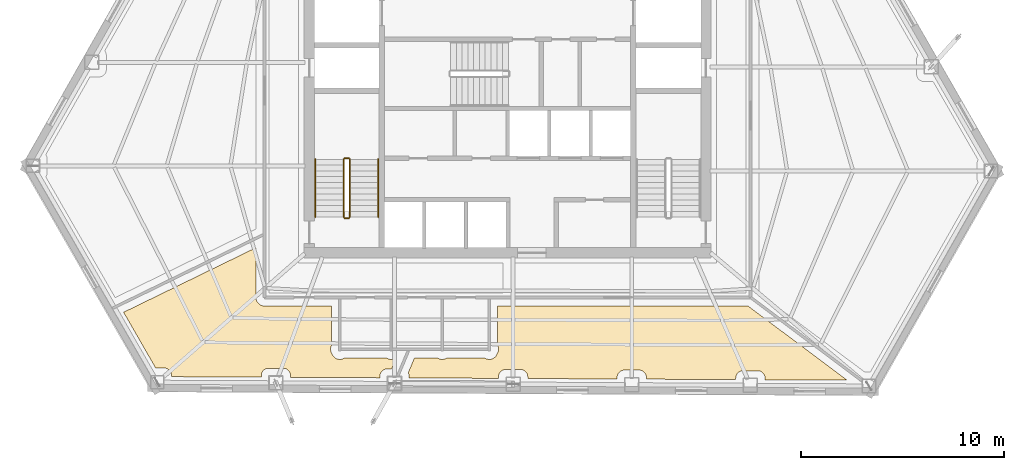
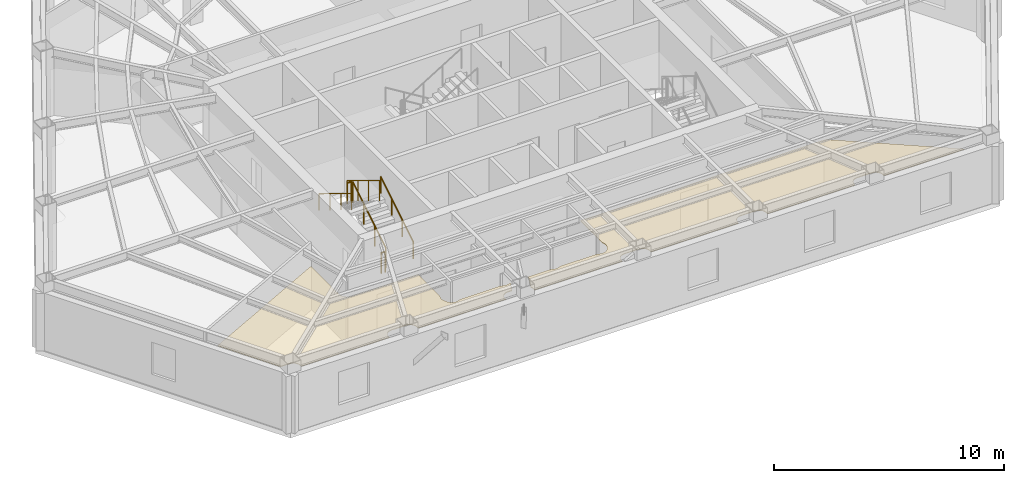
# One storey, part 10 of 13: 6 railings, 2 coverings.
"""IFC4 building model written with IfcOpenShell, lengths in metres."""

from ifc_helpers import new_model, si_unit, direction, frame, origin, origin_2d, place, context, subcontext, project, spatial, polyline, circle, outline, extrude, material, layer, layer_set, type_object, element, save


model = new_model("IFC4")

# Units and contexts
model_context = context("Model", 3, precision=1e-05, world=origin(), true_north=direction((0.0, 1.0)))
body_context = subcontext(model_context, "Body", "Model", "MODEL_VIEW")
ifc_project = project(units=[si_unit("LENGTHUNIT", "METRE"), si_unit("AREAUNIT", "SQUARE_METRE"), si_unit("VOLUMEUNIT", "CUBIC_METRE"), si_unit("PLANEANGLEUNIT", "RADIAN"), si_unit("MASSUNIT", "GRAM", prefix="KILO")], contexts=[model_context])

# Site, building, storey
site_placement = place(None, origin())
site = spatial("IfcSite", under=ifc_project, at=site_placement, CompositionType="ELEMENT")
building_placement = place(site_placement, origin())
building = spatial("IfcBuilding", under=site, at=building_placement, Name="Kavelnor Concourse Tower", CompositionType="ELEMENT")
storey_placement = place(building_placement, frame((0.0, 0.0, 108.60009765625)))
storey = spatial("IfcBuildingStorey", under=building, at=storey_placement, Name="L27", CompositionType="ELEMENT", Elevation=108.60009765625)

# Coverings
ifc_material_1 = material(Name="Mineral fibre acoustic ceiling tile")
ifc_layer = layer(ifc_material_1, 0.0400390625, Name="Mineral fibre acoustic ceiling tile")
ifc_layer_set = layer_set([ifc_layer], Name="Mineral fibre acoustic ceiling tile")
covering_type = type_object("IfcCoveringType", Name="COV-CEILING-ACOUSTIC", PredefinedType="CEILING", material=ifc_layer_set)
covering_1_placement = place(storey_placement, frame((0.0, 0.0, 2.75)))
element("IfcCovering", 1, at=covering_1_placement, inside=storey, type_object=covering_type, Name="L27 Suspended Acoustic Ceiling", PredefinedType="CEILING", context=body_context, shape_type="SweptSolid", body=[
    extrude(outline(polyline([(25.609130859375, 7.1083984375), (25.615234375, 7.0673828125), (25.625244140625, 7.027099609375), (25.639404296875, 6.98828125), (25.656982421875, 6.95068359375), (25.678466796875, 6.9150390625), (25.703125, 6.881591796875), (25.73095703125, 6.85107421875), (25.76171875, 6.822998046875), (25.794921875, 6.79833984375), (25.83056640625, 6.777099609375), (25.8681640625, 6.75927734375), (25.9072265625, 6.745361328125), (25.947509765625, 6.735107421875), (25.988525390625, 6.72900390625), (26.021728515625, 6.7275390625), (29.3349609375, 6.7275390625), (29.3349609375, 4.79541015625), (29.33251953125, 4.791015625), (29.3154296875, 4.755126953125), (29.302001953125, 4.7177734375), (29.29248046875, 4.67919921875), (29.28662109375, 4.6396484375), (29.28466796875, 4.60009765625), (29.28662109375, 4.560302734375), (29.29248046875, 4.52099609375), (29.302001953125, 4.482421875), (29.3154296875, 4.44482421875), (29.33251953125, 4.408935546875), (29.352783203125, 4.374755859375), (29.3564453125, 4.3701171875), (29.365478515625, 4.344970703125), (29.382568359375, 4.308837890625), (29.40283203125, 4.27490234375), (29.426513671875, 4.242919921875), (29.453369140625, 4.21337890625), (29.48291015625, 4.1865234375), (29.514892578125, 4.162841796875), (29.548828125, 4.142578125), (29.5849609375, 4.12548828125), (29.622314453125, 4.112060546875), (29.660888671875, 4.102294921875), (29.7001953125, 4.096435546875), (29.739990234375, 4.094482421875), (29.77978515625, 4.096435546875), (29.819091796875, 4.102294921875), (29.857666015625, 4.112060546875), (29.89501953125, 4.12548828125), (29.93115234375, 4.142578125), (29.96044921875, 4.159912109375), (32.03955078125, 4.159912109375), (32.06884765625, 4.142578125), (32.10498046875, 4.12548828125), (32.142333984375, 4.112060546875), (32.180908203125, 4.102294921875), (32.22021484375, 4.096435546875), (32.260009765625, 4.094482421875), (32.2998046875, 4.096435546875), (32.339111328125, 4.102294921875), (32.377685546875, 4.112060546875), (32.4150390625, 4.12548828125), (32.451171875, 4.142578125), (32.48046875, 4.159912109375), (32.51171875, 4.159912109375), (32.28662109375, 3.626220703125), (32.06494140625, 3.626220703125), (32.037841796875, 3.625), (32.0029296875, 3.61962890625), (31.968505859375, 3.611083984375), (31.935302734375, 3.59912109375), (31.9033203125, 3.583984375), (31.873046875, 3.56591796875), (31.844482421875, 3.544921875), (31.818359375, 3.52099609375), (31.794677734375, 3.494873046875), (31.7734375, 3.46630859375), (31.75537109375, 3.43603515625), (31.740234375, 3.404052734375), (31.728271484375, 3.370849609375), (31.7197265625, 3.33642578125), (31.714599609375, 3.301513671875), (31.713134765625, 3.2744140625), (31.713134765625, 3.18994140625), (27.312255859375, 3.212646484375), (27.312255859375, 3.3046875), (27.310791015625, 3.331787109375), (27.3056640625, 3.36669921875), (27.297119140625, 3.401123046875), (27.28515625, 3.434326171875), (27.27001953125, 3.46630859375), (27.251953125, 3.49658203125), (27.230712890625, 3.525146484375), (27.20703125, 3.55126953125), (27.180908203125, 3.5751953125), (27.15234375, 3.59619140625), (27.1220703125, 3.614501953125), (27.090087890625, 3.62939453125), (27.056884765625, 3.641357421875), (27.0224609375, 3.64990234375), (26.987548828125, 3.6552734375), (26.96044921875, 3.656494140625), (26.223876953125, 3.656494140625), (26.197021484375, 3.6552734375), (26.161865234375, 3.64990234375), (26.127685546875, 3.641357421875), (26.09423828125, 3.62939453125), (26.062255859375, 3.614501953125), (26.031982421875, 3.59619140625), (26.003662109375, 3.5751953125), (25.977294921875, 3.55126953125), (25.95361328125, 3.525146484375), (25.9326171875, 3.49658203125), (25.914306640625, 3.46630859375), (25.899169921875, 3.434326171875), (25.88720703125, 3.401123046875), (25.878662109375, 3.36669921875), (25.87353515625, 3.331787109375), (25.872314453125, 3.3046875), (25.872314453125, 3.22021484375), (21.451171875, 3.2431640625), (21.451171875, 3.315185546875), (21.449951171875, 3.342041015625), (21.444580078125, 3.377197265625), (21.43603515625, 3.411376953125), (21.42431640625, 3.444580078125), (21.4091796875, 3.476806640625), (21.390869140625, 3.507080078125), (21.369873046875, 3.535400390625), (21.345947265625, 3.5615234375), (21.31982421875, 3.58544921875), (21.29150390625, 3.6064453125), (21.260986328125, 3.624755859375), (21.22900390625, 3.639892578125), (21.19580078125, 3.651611328125), (21.16162109375, 3.660400390625), (21.12646484375, 3.66552734375), (21.099609375, 3.666748046875), (20.671630859375, 3.666748046875), (19.09130859375, 6.416015625), (25.607421875, 9.593994140625), (25.607421875, 7.1416015625), (25.609130859375, 7.1083984375)])), origin(), (0.0, 0.0, 1.0), 0.039794921875),
])
covering_2_placement = place(storey_placement, frame((0.0, 0.0, 2.75)))
element("IfcCovering", 2, at=covering_2_placement, inside=storey, type_object=covering_type, Name="L27 Suspended Acoustic Ceiling", PredefinedType="CEILING", context=body_context, shape_type="SweptSolid", body=[
    extrude(outline(polyline([(33.41259765625, 4.159912109375), (34.5595703125, 4.159912109375), (34.5888671875, 4.142578125), (34.625, 4.12548828125), (34.662353515625, 4.112060546875), (34.700927734375, 4.102294921875), (34.740234375, 4.096435546875), (34.780029296875, 4.094482421875), (34.819580078125, 4.096435546875), (34.859130859375, 4.102294921875), (34.897705078125, 4.112060546875), (34.93505859375, 4.12548828125), (34.97119140625, 4.142578125), (35.00048828125, 4.159912109375), (36.879638671875, 4.159912109375), (36.908935546875, 4.142578125), (36.94482421875, 4.12548828125), (36.982421875, 4.112060546875), (37.02099609375, 4.102294921875), (37.060302734375, 4.096435546875), (37.10009765625, 4.094482421875), (37.1396484375, 4.096435546875), (37.17919921875, 4.102294921875), (37.2177734375, 4.112060546875), (37.255126953125, 4.12548828125), (37.291015625, 4.142578125), (37.3251953125, 4.162841796875), (37.357177734375, 4.1865234375), (37.38671875, 4.21337890625), (37.413330078125, 4.242919921875), (37.43701171875, 4.27490234375), (37.45751953125, 4.308837890625), (37.474609375, 4.344970703125), (37.4833984375, 4.3701171875), (37.487060546875, 4.374755859375), (37.507568359375, 4.408935546875), (37.524658203125, 4.44482421875), (37.5380859375, 4.482421875), (37.547607421875, 4.52099609375), (37.553466796875, 4.560302734375), (37.555419921875, 4.60009765625), (37.553466796875, 4.6396484375), (37.547607421875, 4.67919921875), (37.5380859375, 4.7177734375), (37.524658203125, 4.755126953125), (37.507568359375, 4.791015625), (37.5048828125, 4.79541015625), (37.5048828125, 6.7275390625), (49.834716796875, 6.7275390625), (54.722900390625, 3.0703125), (50.67626953125, 3.09130859375), (50.67626953125, 3.18359375), (50.6748046875, 3.21044921875), (50.669677734375, 3.24560546875), (50.6611328125, 3.27978515625), (50.649169921875, 3.31298828125), (50.634033203125, 3.34521484375), (50.615966796875, 3.37548828125), (50.5947265625, 3.40380859375), (50.571044921875, 3.429931640625), (50.544921875, 3.453857421875), (50.516357421875, 3.474853515625), (50.486083984375, 3.4931640625), (50.4541015625, 3.50830078125), (50.4208984375, 3.52001953125), (50.386474609375, 3.52880859375), (50.3515625, 3.533935546875), (50.324462890625, 3.53515625), (49.587890625, 3.53515625), (49.560791015625, 3.533935546875), (49.52587890625, 3.52880859375), (49.49169921875, 3.52001953125), (49.458251953125, 3.50830078125), (49.42626953125, 3.4931640625), (49.39599609375, 3.474853515625), (49.36767578125, 3.453857421875), (49.34130859375, 3.429931640625), (49.317626953125, 3.40380859375), (49.29638671875, 3.37548828125), (49.2783203125, 3.34521484375), (49.26318359375, 3.31298828125), (49.251220703125, 3.27978515625), (49.24267578125, 3.24560546875), (49.237548828125, 3.21044921875), (49.236083984375, 3.18359375), (49.236083984375, 3.098876953125), (44.835205078125, 3.121826171875), (44.835205078125, 3.2138671875), (44.833984375, 3.24072265625), (44.82861328125, 3.27587890625), (44.820068359375, 3.31005859375), (44.80810546875, 3.343505859375), (44.793212890625, 3.37548828125), (44.77490234375, 3.40576171875), (44.75390625, 3.43408203125), (44.72998046875, 3.460205078125), (44.703857421875, 3.484130859375), (44.67529296875, 3.505126953125), (44.64501953125, 3.5234375), (44.613037109375, 3.53857421875), (44.579833984375, 3.55029296875), (44.54541015625, 3.55908203125), (44.510498046875, 3.564208984375), (44.4833984375, 3.5654296875), (43.746826171875, 3.5654296875), (43.719970703125, 3.564208984375), (43.684814453125, 3.55908203125), (43.650634765625, 3.55029296875), (43.6171875, 3.53857421875), (43.585205078125, 3.5234375), (43.554931640625, 3.505126953125), (43.526611328125, 3.484130859375), (43.50048828125, 3.460205078125), (43.4765625, 3.43408203125), (43.45556640625, 3.40576171875), (43.437255859375, 3.37548828125), (43.422119140625, 3.343505859375), (43.410400390625, 3.31005859375), (43.401611328125, 3.27587890625), (43.396484375, 3.24072265625), (43.395263671875, 3.2138671875), (43.395263671875, 3.129150390625), (38.994140625, 3.152099609375), (38.994140625, 3.244140625), (38.992919921875, 3.27099609375), (38.98779296875, 3.30615234375), (38.97900390625, 3.34033203125), (38.96728515625, 3.373779296875), (38.9521484375, 3.40576171875), (38.933837890625, 3.43603515625), (38.912841796875, 3.46435546875), (38.888916015625, 3.490478515625), (38.86279296875, 3.514404296875), (38.83447265625, 3.535400390625), (38.80419921875, 3.5537109375), (38.772216796875, 3.56884765625), (38.73876953125, 3.580810546875), (38.70458984375, 3.58935546875), (38.66943359375, 3.594482421875), (38.642578125, 3.595703125), (37.906005859375, 3.595703125), (37.87890625, 3.594482421875), (37.843994140625, 3.58935546875), (37.8095703125, 3.580810546875), (37.7763671875, 3.56884765625), (37.744384765625, 3.5537109375), (37.714111328125, 3.535400390625), (37.685546875, 3.514404296875), (37.659423828125, 3.490478515625), (37.635498046875, 3.46435546875), (37.614501953125, 3.43603515625), (37.59619140625, 3.40576171875), (37.581298828125, 3.373779296875), (37.5693359375, 3.34033203125), (37.560791015625, 3.30615234375), (37.555419921875, 3.27099609375), (37.55419921875, 3.244140625), (37.55419921875, 3.159423828125), (33.1533203125, 3.182373046875), (33.1533203125, 3.2744140625), (33.15185546875, 3.301513671875), (33.146728515625, 3.33642578125), (33.13818359375, 3.370849609375), (33.126220703125, 3.404052734375), (33.111083984375, 3.43603515625), (33.10888671875, 3.43994140625), (33.41259765625, 4.159912109375)])), origin(), (0.0, 0.0, 1.0), 0.039794921875),
])

# Railings
ifc_material_2 = material(Name="Steel Grade 350", Category="steel")
railing_type_1 = type_object("IfcRailingType", Name="RLG-GUARD-1100", PredefinedType="GUARDRAIL", material=ifc_material_2)
railing_1_placement = place(storey_placement, frame((30.22998046875, 11.10009765625, 0.1748046875)))
element("IfcRailing", 3, at=railing_1_placement, inside=storey, type_object=railing_type_1, Name="L27 ST1 stair guard 1", PredefinedType="GUARDRAIL", context=body_context, shape_type="SweptSolid", body=[
    extrude(circle(Radius=0.02392578125, at=origin_2d()), frame((0.0, 0.0, 1.076171875), z_axis=(0.0, 0.852159232446, 0.523282564737), x_axis=(-1.0, 0.0, 0.0)), (0.0, 0.0, 1.0), 3.34423828125),
    extrude(circle(Radius=0.02099609375, at=origin_2d()), origin(), (0.0, 0.0, 1.0), 1.052001953125),
    extrude(circle(Radius=0.02099609375, at=origin_2d()), frame((0.0, 0.949951171875, 0.583251953125)), (0.0, 0.0, 1.0), 1.052001953125),
    extrude(circle(Radius=0.02099609375, at=origin_2d()), frame((0.0, 1.89990234375, 1.166748046875)), (0.0, 0.0, 1.0), 1.052001953125),
    extrude(circle(Radius=0.02099609375, at=origin_2d()), frame((0.0, 2.849853515625, 1.75)), (0.0, 0.0, 1.0), 1.052001953125),
])
railing_2_placement = place(storey_placement, frame((30.179931640625, 14.0, 1.9248046875)))
element("IfcRailing", 4, at=railing_2_placement, inside=storey, type_object=railing_type_1, Name="L27 ST1 stair guard 2", PredefinedType="GUARDRAIL", context=body_context, shape_type="SweptSolid", body=[
    extrude(circle(Radius=0.02392578125, at=origin_2d()), frame((0.0, 0.0, 1.076171875), z_axis=(-1.0, 0.0, 0.0), x_axis=(0.0, -1.0, 0.0)), (0.0, 0.0, 1.0), 0.199951171875),
    extrude(circle(Radius=0.02099609375, at=origin_2d()), origin(), (0.0, 0.0, 1.0), 1.052001953125),
    extrude(circle(Radius=0.02099609375, at=origin_2d()), frame((-0.199951171875, 0.0, 0.0)), (0.0, 0.0, 1.0), 1.052001953125),
])
railing_3_placement = place(storey_placement, frame((29.929931640625, 13.949951171875, 2.099853515625)))
element("IfcRailing", 5, at=railing_3_placement, inside=storey, type_object=railing_type_1, Name="L27 ST1 stair guard 3", PredefinedType="GUARDRAIL", context=body_context, shape_type="SweptSolid", body=[
    extrude(circle(Radius=0.02392578125, at=origin_2d()), frame((0.0, 0.0, 1.076171875), z_axis=(0.0, -0.852159232446, 0.523282564737), x_axis=(1.0, 0.0, 0.0)), (0.0, 0.0, 1.0), 3.34423828125),
    extrude(circle(Radius=0.02099609375, at=origin_2d()), origin(), (0.0, 0.0, 1.0), 1.052001953125),
    extrude(circle(Radius=0.02099609375, at=origin_2d()), frame((0.0, -0.949951171875, 0.583251953125)), (0.0, 0.0, 1.0), 1.052001953125),
    extrude(circle(Radius=0.02099609375, at=origin_2d()), frame((0.0, -1.89990234375, 1.166748046875)), (0.0, 0.0, 1.0), 1.052001953125),
    extrude(circle(Radius=0.02099609375, at=origin_2d()), frame((0.0, -2.849853515625, 1.75)), (0.0, 0.0, 1.0), 1.052001953125),
])
railing_4_placement = place(storey_placement, frame((30.179931640625, 11.050048828125, 0.0)))
element("IfcRailing", 6, at=railing_4_placement, inside=storey, type_object=railing_type_1, Name="L27 ST1 stair guard 4", PredefinedType="GUARDRAIL", context=body_context, shape_type="SweptSolid", body=[
    extrude(circle(Radius=0.02392578125, at=origin_2d()), frame((0.0, 0.0, 1.076171875), z_axis=(-1.0, 0.0, 0.0), x_axis=(0.0, -1.0, 0.0)), (0.0, 0.0, 1.0), 0.199951171875),
    extrude(circle(Radius=0.02099609375, at=origin_2d()), origin(), (0.0, 0.0, 1.0), 1.052001953125),
    extrude(circle(Radius=0.02099609375, at=origin_2d()), frame((-0.199951171875, 0.0, 0.0)), (0.0, 0.0, 1.0), 1.052001953125),
])
railing_type_2 = type_object("IfcRailingType", Name="RLG-HANDRAIL-900", PredefinedType="HANDRAIL", material=ifc_material_2)
railing_5_placement = place(storey_placement, frame((31.6298828125, 11.10009765625, 0.1748046875)))
element("IfcRailing", 7, at=railing_5_placement, inside=storey, type_object=railing_type_2, Name="L27 ST1 stair handrail 1", PredefinedType="HANDRAIL", context=body_context, shape_type="SweptSolid", body=[
    extrude(circle(Radius=0.02392578125, at=origin_2d()), frame((0.0, 0.0, 0.8759765625), z_axis=(0.0, 0.852159232446, 0.523282564737), x_axis=(-1.0, 0.0, 0.0)), (0.0, 0.0, 1.0), 3.34423828125),
    extrude(circle(Radius=0.02099609375, at=origin_2d()), origin(), (0.0, 0.0, 1.0), 0.851806640625),
    extrude(circle(Radius=0.02099609375, at=origin_2d()), frame((0.0, 0.949951171875, 0.583251953125)), (0.0, 0.0, 1.0), 0.851806640625),
    extrude(circle(Radius=0.02099609375, at=origin_2d()), frame((0.0, 1.89990234375, 1.166748046875)), (0.0, 0.0, 1.0), 0.851806640625),
    extrude(circle(Radius=0.02099609375, at=origin_2d()), frame((0.0, 2.849853515625, 1.75)), (0.0, 0.0, 1.0), 0.851806640625),
])
railing_6_placement = place(storey_placement, frame((28.530029296875, 13.949951171875, 2.099853515625)))
element("IfcRailing", 8, at=railing_6_placement, inside=storey, type_object=railing_type_2, Name="L27 ST1 stair handrail 2", PredefinedType="HANDRAIL", context=body_context, shape_type="SweptSolid", body=[
    extrude(circle(Radius=0.02392578125, at=origin_2d()), frame((0.0, 0.0, 0.8759765625), z_axis=(0.0, -0.852159232446, 0.523282564737), x_axis=(1.0, 0.0, 0.0)), (0.0, 0.0, 1.0), 3.34423828125),
    extrude(circle(Radius=0.02099609375, at=origin_2d()), origin(), (0.0, 0.0, 1.0), 0.851806640625),
    extrude(circle(Radius=0.02099609375, at=origin_2d()), frame((0.0, -0.949951171875, 0.583251953125)), (0.0, 0.0, 1.0), 0.851806640625),
    extrude(circle(Radius=0.02099609375, at=origin_2d()), frame((0.0, -1.89990234375, 1.166748046875)), (0.0, 0.0, 1.0), 0.851806640625),
    extrude(circle(Radius=0.02099609375, at=origin_2d()), frame((0.0, -2.849853515625, 1.75)), (0.0, 0.0, 1.0), 0.851806640625),
])

save(model, "model.ifc")
